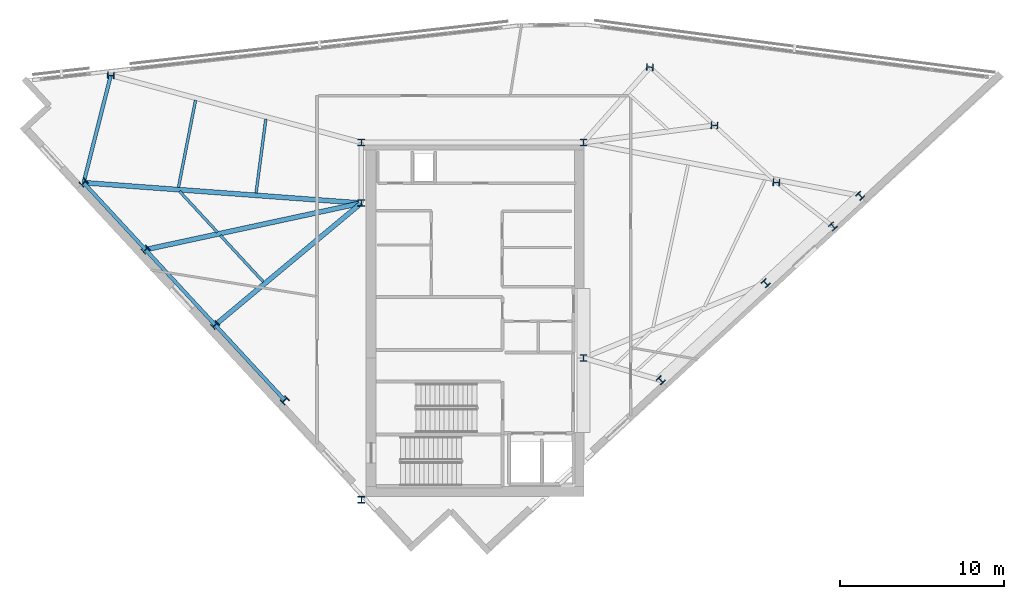
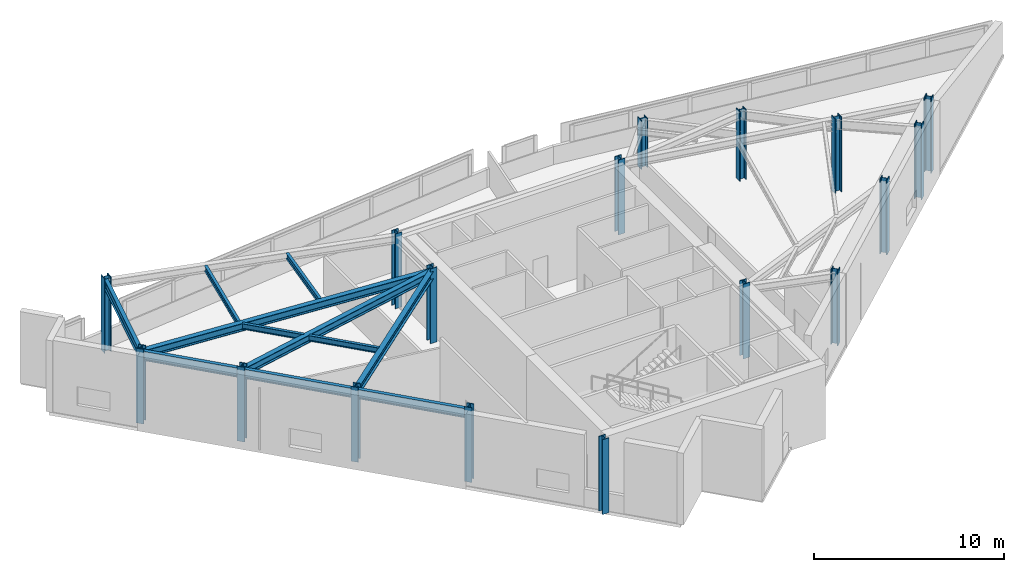
# One storey, part 1 of 12: 17 columns, 11 beams.
"""IFC4 building model written with IfcOpenShell, lengths in metres."""

from ifc_helpers import new_model, si_unit, direction, frame, origin, origin_2d, place, context, subcontext, project, spatial, i_section, extrude, material, material_profile, profile_set, type_object, element, save


model = new_model("IFC4")

# Units and contexts
model_context = context("Model", 3, precision=1e-05, world=origin(), true_north=direction((0.0, 1.0)))
body_context = subcontext(model_context, "Body", "Model", "MODEL_VIEW")
ifc_project = project(units=[si_unit("LENGTHUNIT", "METRE"), si_unit("AREAUNIT", "SQUARE_METRE"), si_unit("VOLUMEUNIT", "CUBIC_METRE"), si_unit("PLANEANGLEUNIT", "RADIAN"), si_unit("MASSUNIT", "GRAM", prefix="KILO")], contexts=[model_context])

# Site, building, storey
site_placement = place(None, origin())
site = spatial("IfcSite", under=ifc_project, at=site_placement, CompositionType="ELEMENT")
building_placement = place(site_placement, origin())
building = spatial("IfcBuilding", under=site, at=building_placement, Name="Narakoshi Arena Tower", CompositionType="ELEMENT")
storey_placement = place(building_placement, frame((0.0, 0.0, 307.780029296875)))
storey = spatial("IfcBuildingStorey", under=building, at=storey_placement, Name="L83", CompositionType="ELEMENT", Elevation=307.780029296875)

# Columns
ifc_material = material(Name="Structural steel S355J2", Category="steel")
ifc_material_profile_1 = material_profile(ifc_material, i_section(OverallWidth=0.406005859375, OverallDepth=0.416015625, WebThickness=0.02978515625, FlangeThickness=0.048095703125, FilletRadius=0.014892578125, at=origin_2d()), Name="HD400x382")
ifc_profile_set_1 = profile_set([ifc_material_profile_1], Name="Structural steel S355J2")
column_type = type_object("IfcColumnType", Name="COL-STL382", PredefinedType="COLUMN", material=ifc_profile_set_1)
for number, where, z_axis, x_axis, name in (
    (1, (72.0, 34.699951171875, 0.0), (0.0, 0.0, 1.0), (1.0, 0.0, 0.0), "L83 Core Structural Column CC1"),
    (2, (85.550048828125, 43.35009765625, 0.0), (0.0, 0.0, 1.0), (1.0, 0.0, 0.0), "L83 Core Structural Column CC3"),
    (3, (72.0, 52.800048828125, 0.0), (0.0, 0.0, 1.0), (1.0, 0.0, 0.0), "L83 Core Structural Column CC4"),
    (4, (72.0, 56.5, 0.0), (0.0, 0.0, 1.0), (1.0, 0.0, 0.0), "L83 Core Structural Column CC5"),
    (5, (85.550048828125, 56.5, 0.0), (0.0, 0.0, 1.0), (1.0, 0.0, 0.0), "L83 Core Structural Column CC6"),
    (6, (90.2734375, 41.992919921875, 0.0), (0.0, 0.0, 1.0), (0.734322509436, 0.678800745533, 0.0), "L83 Tower Perimeter Column TC01"),
    (7, (96.6787109375, 47.913818359375, 0.0), (0.0, 0.0, 1.0), (0.734322509436, 0.678800745533, 0.0), "L83 Tower Perimeter Column TC02"),
    (8, (102.443359375, 53.242431640625, 0.0), (0.0, 0.0, 1.0), (0.734322509436, 0.678800745533, 0.0), "L83 Tower Perimeter Column TC03"),
    (9, (100.78173828125, 51.379638671875, 0.0), (0.0, 0.0, 1.0), (0.734322509436, 0.678800745533, 0.0), "L83 Tower Perimeter Column TC04"),
    (10, (97.3291015625, 54.0654296875, 0.0), (0.0, 0.0, 1.0), (0.039259815759, 0.999229036241, 0.0), "L83 Tower Perimeter Column TC05"),
):
    element("IfcColumn", number, at=place(storey_placement, frame(where, z_axis=z_axis, x_axis=x_axis)), inside=storey, type_object=column_type, Name=name, PredefinedType="COLUMN", context=body_context, shape_type="SweptSolid", body=[
        extrude(i_section(OverallWidth=0.406005859375, OverallDepth=0.416015625, WebThickness=0.02978515625, FlangeThickness=0.048095703125, FilletRadius=0.014892578125, at=origin_2d()), origin(), (0.0, 0.0, 1.0), 4.800048828125),
    ])
column_1_placement = place(storey_placement, frame((93.55029296875, 57.543701171875, 0.0), z_axis=(0.0, 0.0, 1.0), x_axis=(0.039259815759, 0.999229036241, 0.0)))
element("IfcColumn", 11, at=column_1_placement, inside=storey, type_object=column_type, Name="L83 Tower Perimeter Column TC06", PredefinedType="COLUMN", context=body_context, shape_type="SweptSolid", body=[
    extrude(i_section(OverallWidth=0.406005859375, OverallDepth=0.416015625, WebThickness=0.02978515625, FlangeThickness=0.048095703125, FilletRadius=0.014892578125, at=origin_2d()), origin(), (0.0, 0.0, 1.0), 4.48388671875),
])
column_2_placement = place(storey_placement, frame((89.611328125, 61.09033203125, 0.0), z_axis=(0.0, 0.0, 1.0), x_axis=(0.039259815759, 0.999229036241, 0.0)))
element("IfcColumn", 12, at=column_2_placement, inside=storey, type_object=column_type, Name="L83 Tower Perimeter Column TC07", PredefinedType="COLUMN", context=body_context, shape_type="SweptSolid", body=[
    extrude(i_section(OverallWidth=0.406005859375, OverallDepth=0.416015625, WebThickness=0.02978515625, FlangeThickness=0.048095703125, FilletRadius=0.014892578125, at=origin_2d()), origin(), (0.0, 0.0, 1.0), 3.14404296875),
])
for number, where, z_axis, x_axis, name in (
    (13, (56.717041015625, 60.59814453125, 0.0), (0.0, 0.0, 1.0), (0.039259815759, 0.999229036241, 0.0), "L83 Tower Perimeter Column TC10"),
    (14, (55.05810546875, 54.04638671875, 0.0), (0.0, 0.0, 1.0), (-0.678800745533, 0.734322509436, 0.0), "L83 Tower Perimeter Column TC13"),
    (15, (58.8349609375, 49.960693359375, 0.0), (0.0, 0.0, 1.0), (-0.678800745533, 0.734322509436, 0.0), "L83 Tower Perimeter Column TC14"),
    (16, (63.083984375, 45.3642578125, 0.0), (0.0, 0.0, 1.0), (-0.678800745533, 0.734322509436, 0.0), "L83 Tower Perimeter Column TC15"),
    (17, (67.332763671875, 40.767578125, 0.0), (0.0, 0.0, 1.0), (-0.678800745533, 0.734322509436, 0.0), "L83 Tower Perimeter Column TC16"),
):
    element("IfcColumn", number, at=place(storey_placement, frame(where, z_axis=z_axis, x_axis=x_axis)), inside=storey, type_object=column_type, Name=name, PredefinedType="COLUMN", context=body_context, shape_type="SweptSolid", body=[
        extrude(i_section(OverallWidth=0.406005859375, OverallDepth=0.416015625, WebThickness=0.02978515625, FlangeThickness=0.048095703125, FilletRadius=0.014892578125, at=origin_2d()), origin(), (0.0, 0.0, 1.0), 4.800048828125),
    ])

# Beams
ifc_material_profile_2 = material_profile(ifc_material, i_section(OverallWidth=0.219970703125, OverallDepth=0.60009765625, WebThickness=0.011962890625, FlangeThickness=0.01904296875, FilletRadius=0.02392578125, at=origin_2d()), Name="IPE600")
ifc_profile_set_2 = profile_set([ifc_material_profile_2], Name="Structural steel S355J2")
beam_type_1 = type_object("IfcBeamType", Name="BM-EDGE-600", PredefinedType="BEAM", material=ifc_profile_set_2)
beam_1_placement = place(storey_placement, frame((56.717041015625, 60.59814453125, 4.300048828125), z_axis=(-0.245458392699, -0.969407126781, 0.0), x_axis=(0.969407126781, -0.245458392699, 0.0)))
element("IfcBeam", 18, at=beam_1_placement, inside=storey, type_object=beam_type_1, Name="L83 Perimeter Edge Girder 08", PredefinedType="BEAM", context=body_context, shape_type="SweptSolid", body=[
    extrude(i_section(OverallWidth=0.219970703125, OverallDepth=0.60009765625, WebThickness=0.011962890625, FlangeThickness=0.01904296875, FilletRadius=0.02392578125, at=origin_2d()), origin(), (0.0, 0.0, 1.0), 6.758544921875),
])
beam_2_placement = place(storey_placement, frame((55.05810546875, 54.04638671875, 4.300048828125), z_axis=(0.678808438166, -0.734315398365, 0.0), x_axis=(0.734315398365, 0.678808438166, 0.0)))
element("IfcBeam", 19, at=beam_2_placement, inside=storey, type_object=beam_type_1, Name="L83 Perimeter Edge Girder 09", PredefinedType="BEAM", context=body_context, shape_type="SweptSolid", body=[
    extrude(i_section(OverallWidth=0.219970703125, OverallDepth=0.60009765625, WebThickness=0.011962890625, FlangeThickness=0.01904296875, FilletRadius=0.02392578125, at=origin_2d()), origin(), (0.0, 0.0, 1.0), 5.56396484375),
])
for number, where, z_axis, x_axis, name in (
    (20, (58.8349609375, 49.960693359375, 4.300048828125), (0.678811265787, -0.734312784473, 0.0), (0.734312784473, 0.678811265787, 0.0), "L83 Perimeter Edge Girder 10"),
    (21, (63.083984375, 45.3642578125, 4.300048828125), (0.678770792221, -0.734350196859, 0.0), (0.734350196859, 0.678770792221, 0.0), "L83 Perimeter Edge Girder 11"),
):
    element("IfcBeam", number, at=place(storey_placement, frame(where, z_axis=z_axis, x_axis=x_axis)), inside=storey, type_object=beam_type_1, Name=name, PredefinedType="BEAM", context=body_context, shape_type="SweptSolid", body=[
        extrude(i_section(OverallWidth=0.219970703125, OverallDepth=0.60009765625, WebThickness=0.011962890625, FlangeThickness=0.01904296875, FilletRadius=0.02392578125, at=origin_2d()), origin(), (0.0, 0.0, 1.0), 6.259521484375),
    ])
ifc_material_profile_3 = material_profile(ifc_material, i_section(OverallWidth=0.300048828125, OverallDepth=0.5, WebThickness=0.014404296875, FlangeThickness=0.028076171875, FilletRadius=0.027099609375, at=origin_2d()), Name="HE500B")
ifc_profile_set_3 = profile_set([ifc_material_profile_3], Name="Structural steel S355J2")
beam_type_2 = type_object("IfcBeamType", Name="BM-PRI-500", PredefinedType="BEAM", material=ifc_profile_set_3)
beam_3_placement = place(storey_placement, frame((72.0, 52.800048828125, 4.349853515625), z_axis=(-0.997304997013, 0.073367178859, 0.0), x_axis=(-0.073367178859, -0.997304997013, 0.0)))
element("IfcBeam", 22, at=beam_3_placement, inside=storey, type_object=beam_type_2, Name="L83 Radial Primary Floor Girder 09", PredefinedType="BEAM", context=body_context, shape_type="SweptSolid", body=[
    extrude(i_section(OverallWidth=0.300048828125, OverallDepth=0.5, WebThickness=0.014404296875, FlangeThickness=0.028076171875, FilletRadius=0.027099609375, at=origin_2d()), origin(), (0.0, 0.0, 1.0), 16.98779296875),
])
beam_4_placement = place(storey_placement, frame((72.0, 52.800048828125, 4.349853515625), z_axis=(-0.977523534755, -0.210826324256, 0.0), x_axis=(0.210826324256, -0.977523534755, 0.0)))
element("IfcBeam", 23, at=beam_4_placement, inside=storey, type_object=beam_type_2, Name="L83 Radial Primary Floor Girder 10", PredefinedType="BEAM", context=body_context, shape_type="SweptSolid", body=[
    extrude(i_section(OverallWidth=0.300048828125, OverallDepth=0.5, WebThickness=0.014404296875, FlangeThickness=0.028076171875, FilletRadius=0.027099609375, at=origin_2d()), origin(), (0.0, 0.0, 1.0), 13.4677734375),
])
beam_5_placement = place(storey_placement, frame((72.0, 52.800048828125, 4.349853515625), z_axis=(-0.767976460513, -0.640478068397, 0.0), x_axis=(0.640478068397, -0.767976460513, 0.0)))
element("IfcBeam", 24, at=beam_5_placement, inside=storey, type_object=beam_type_2, Name="L83 Radial Primary Floor Girder 11", PredefinedType="BEAM", context=body_context, shape_type="SweptSolid", body=[
    extrude(i_section(OverallWidth=0.300048828125, OverallDepth=0.5, WebThickness=0.014404296875, FlangeThickness=0.028076171875, FilletRadius=0.027099609375, at=origin_2d()), origin(), (0.0, 0.0, 1.0), 11.60986328125),
])
ifc_material_profile_4 = material_profile(ifc_material, i_section(OverallWidth=0.169921875, OverallDepth=0.360107421875, WebThickness=0.008056640625, FlangeThickness=0.0126953125, FilletRadius=0.01806640625, at=origin_2d()), Name="IPE360")
ifc_profile_set_4 = profile_set([ifc_material_profile_4], Name="Structural steel S355J2")
beam_type_3 = type_object("IfcBeamType", Name="BM-SEC-360", PredefinedType="JOIST", material=ifc_profile_set_4)
beam_6_placement = place(storey_placement, frame((66.1748046875, 57.92333984375, 4.419921875), z_axis=(-0.130622278615, -0.991432206623, 0.0), x_axis=(0.991432206623, -0.130622278615, 0.0)))
element("IfcBeam", 25, at=beam_6_placement, inside=storey, type_object=beam_type_3, Name="L83 Composite Secondary Floor Joist 06", PredefinedType="JOIST", context=body_context, shape_type="SweptSolid", body=[
    extrude(i_section(OverallWidth=0.169921875, OverallDepth=0.360107421875, WebThickness=0.008056640625, FlangeThickness=0.0126953125, FilletRadius=0.01806640625, at=origin_2d()), origin(), (0.0, 0.0, 1.0), 4.554931640625),
])
beam_7_placement = place(storey_placement, frame((61.88720703125, 59.072265625, 4.419921875), z_axis=(-0.192432326114, -0.98131024649, 0.0), x_axis=(0.98131024649, -0.192432326114, 0.0)))
element("IfcBeam", 26, at=beam_7_placement, inside=storey, type_object=beam_type_3, Name="L83 Composite Secondary Floor Joist 07", PredefinedType="JOIST", context=body_context, shape_type="SweptSolid", body=[
    extrude(i_section(OverallWidth=0.169921875, OverallDepth=0.360107421875, WebThickness=0.008056640625, FlangeThickness=0.0126953125, FilletRadius=0.01806640625, at=origin_2d()), origin(), (0.0, 0.0, 1.0), 5.418701171875),
])
beam_8_placement = place(storey_placement, frame((60.91015625, 53.5234375, 4.419921875), z_axis=(0.678789604895, -0.734332807579, 0.0), x_axis=(0.734332807579, 0.678789604895, 0.0)))
element("IfcBeam", 27, at=beam_8_placement, inside=storey, type_object=beam_type_3, Name="L83 Composite Secondary Floor Joist 08", PredefinedType="JOIST", context=body_context, shape_type="SweptSolid", body=[
    extrude(i_section(OverallWidth=0.169921875, OverallDepth=0.360107421875, WebThickness=0.008056640625, FlangeThickness=0.0126953125, FilletRadius=0.01806640625, at=origin_2d()), origin(), (0.0, 0.0, 1.0), 3.402099609375),
])
beam_9_placement = place(storey_placement, frame((63.402587890625, 50.826904296875, 4.419921875), z_axis=(0.67880513783, -0.734318449214, 0.0), x_axis=(0.734318449214, 0.67880513783, 0.0)))
element("IfcBeam", 28, at=beam_9_placement, inside=storey, type_object=beam_type_3, Name="L83 Composite Secondary Floor Joist 09", PredefinedType="JOIST", context=body_context, shape_type="SweptSolid", body=[
    extrude(i_section(OverallWidth=0.169921875, OverallDepth=0.360107421875, WebThickness=0.008056640625, FlangeThickness=0.0126953125, FilletRadius=0.01806640625, at=origin_2d()), origin(), (0.0, 0.0, 1.0), 3.861328125),
])

save(model, "model.ifc")
